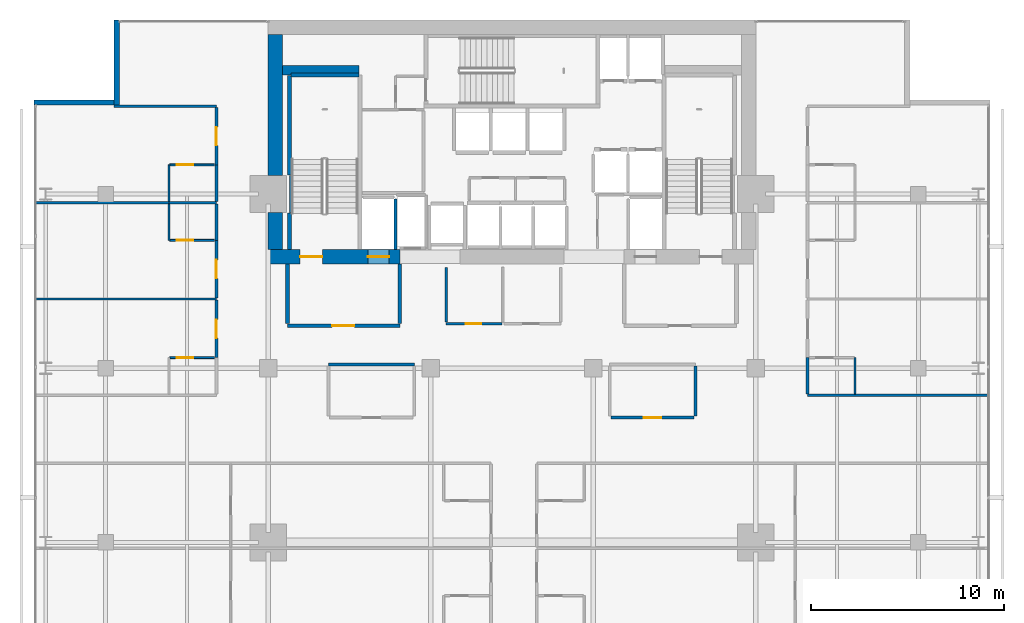
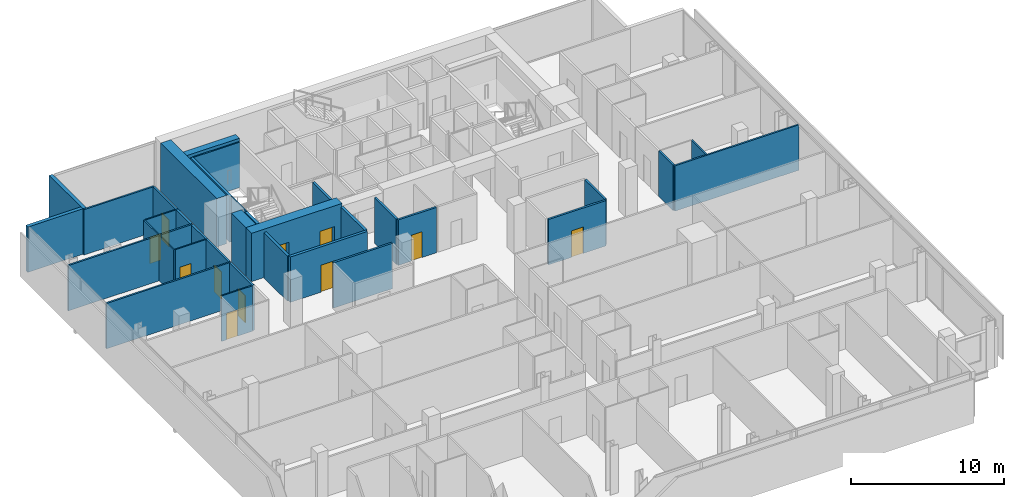
# One storey, part 29 of 34: 35 walls, 11 doors, 11 openings.
"""IFC4 building model written with IfcOpenShell, lengths in metres."""

from ifc_helpers import new_model, si_unit, direction, frame, frame_2d, origin, place, context, subcontext, project, spatial, rectangle, extrude, material, layer, layer_set, type_object, element, fill, save


model = new_model("IFC4")

# Units and contexts
model_context = context("Model", 3, precision=1e-05, world=origin(), true_north=direction((0.0, 1.0)))
body_context = subcontext(model_context, "Body", "Model", "MODEL_VIEW")
ifc_project = project(units=[si_unit("LENGTHUNIT", "METRE"), si_unit("AREAUNIT", "SQUARE_METRE"), si_unit("VOLUMEUNIT", "CUBIC_METRE"), si_unit("PLANEANGLEUNIT", "RADIAN"), si_unit("MASSUNIT", "GRAM", prefix="KILO")], contexts=[model_context])

# Site, building, storey
site_placement = place(None, origin())
site = spatial("IfcSite", under=ifc_project, at=site_placement, CompositionType="ELEMENT")
building_placement = place(site_placement, origin())
building = spatial("IfcBuilding", under=site, at=building_placement, Name="Maruvema Waterfront Hotel and Observation Tower", CompositionType="ELEMENT")
storey_placement = place(building_placement, frame((0.0, 0.0, 215.949951171875)))
storey = spatial("IfcBuildingStorey", under=building, at=storey_placement, Name="L53", CompositionType="ELEMENT", Elevation=215.949951171875)

# Wall, opening, door
ifc_material_1 = material(Name="Twin-stud acoustic gypsum drywall", Category="gypsum")
ifc_layer_1 = layer(ifc_material_1, 0.14990234375, Name="Acoustic Corridor and Suite Demising Wall 150 mm")
ifc_layer_set_1 = layer_set([ifc_layer_1], Name="Twin-stud acoustic gypsum drywall")
wall_type_1 = type_object("IfcWallType", Name="Acoustic Corridor and Suite Demising Wall 150 mm", PredefinedType="PARTITIONING", material=ifc_layer_set_1)
wall_1_placement = place(storey_placement, frame((34.39990234375, 38.300048828125, 0.0), z_axis=(0.0, 0.0, 1.0), x_axis=(1.0, 0.0, 0.0)))
wall_1 = element("IfcWall", 1, at=wall_1_placement, inside=storey, type_object=wall_type_1, Name="L53 Core Apron K2A South 022", PredefinedType="PARTITIONING", context=body_context, shape_type="SweptSolid", body=[
    extrude(rectangle(XDim=2.880126953125, YDim=0.14990234375, at=frame_2d((1.43994140625, 0.0))), origin(), (0.0, 0.0, 1.0), 3.610107421875),
])
opening_1_placement = place(wall_1_placement, frame((1.0, 0.0, 0.0)))
opening_1 = element("IfcOpeningElement", 2, at=opening_1_placement, cuts=wall_1, Name="Opening DR-080", PredefinedType="OPENING", context=body_context, shape_type="SweptSolid", body=[
    extrude(rectangle(XDim=0.800048828125, YDim=2.050048828125, at=frame_2d((0.39990234375, 1.02490234375))), frame((0.0, 0.0849609375, 0.0), z_axis=(0.0, -1.0, 0.0), x_axis=(1.0, 0.0, 0.0)), (0.0, 0.0, 1.0), 0.169921875),
])
ifc_material_2 = material(Name="Powder-coated steel access leaf", Category="steel")
door_type_1 = type_object("IfcDoorType", Name="Riser and Service Cupboard Door 800x2050 mm", OperationType="NOTDEFINED", PredefinedType="DOOR", material=ifc_material_2)
door_1_placement = place(opening_1_placement, frame((0.800048828125, 0.0, 0.0), z_axis=(0.0, 0.0, 1.0), x_axis=(-1.0, 0.0, 0.0)))
door_1 = element("IfcDoor", 3, at=door_1_placement, inside=storey, type_object=door_type_1, Name="L53 Core Ice Alcove Door", OperationType="SINGLE_SWING_LEFT", OverallHeight=2.050048828125, OverallWidth=0.800048828125, PredefinedType="DOOR", context=body_context, shape_type="SweptSolid", body=[
    extrude(rectangle(XDim=0.800048828125, YDim=2.050048828125, at=frame_2d((0.39990234375, 1.02490234375))), frame((0.0, 0.02490234375, 0.0), z_axis=(0.0, -1.0, 0.0), x_axis=(1.0, 0.0, 0.0)), (0.0, 0.0, 1.0), 0.050048828125),
])
fill(opening_1, door_1)

# Walls
wall_2_placement = place(storey_placement, frame((34.39990234375, 38.3798828125, 0.0), z_axis=(0.0, 0.0, 1.0), x_axis=(0.0, 1.0, 0.0)))
element("IfcWall", 4, at=wall_2_placement, inside=storey, type_object=wall_type_1, Name="L53 Core Apron K2 West 024", PredefinedType="PARTITIONING", context=body_context, shape_type="SweptSolid", body=[
    extrude(rectangle(XDim=2.840087890625, YDim=0.14990234375, at=frame_2d((1.419921875, 0.0))), origin(), (0.0, 0.0, 1.0), 3.610107421875),
])
wall_3_placement = place(storey_placement, frame((28.320068359375, 36.199951171875, 0.0), z_axis=(0.0, 0.0, 1.0), x_axis=(1.0, 0.0, 0.0)))
element("IfcWall", 5, at=wall_3_placement, inside=storey, type_object=wall_type_1, Name="L53 L53-M1 Back Wall 027", PredefinedType="PARTITIONING", context=body_context, shape_type="SweptSolid", body=[
    extrude(rectangle(XDim=4.429931640625, YDim=0.14990234375, at=frame_2d((2.21484375, 0.0))), origin(), (0.0, 0.0, 1.0), 3.610107421875),
])
wall_4_placement = place(storey_placement, frame((47.280029296875, 33.530029296875, 0.0), z_axis=(0.0, 0.0, 1.0), x_axis=(0.0, 1.0, 0.0)))
element("IfcWall", 6, at=wall_4_placement, inside=storey, type_object=wall_type_1, Name="L53 L53-M2 East Wall 033", PredefinedType="PARTITIONING", context=body_context, shape_type="SweptSolid", body=[
    extrude(rectangle(XDim=2.590087890625, YDim=0.14990234375, at=frame_2d((1.294921875, 0.0))), origin(), (0.0, 0.0, 1.0), 3.610107421875),
])

# Wall, opening, door
wall_5_placement = place(storey_placement, frame((42.909912109375, 33.449951171875, 0.0), z_axis=(0.0, 0.0, 1.0), x_axis=(1.0, 0.0, 0.0)))
wall_5 = element("IfcWall", 7, at=wall_5_placement, inside=storey, type_object=wall_type_1, Name="L53 L53-M2 Front 1 034", PredefinedType="PARTITIONING", context=body_context, shape_type="SweptSolid", body=[
    extrude(rectangle(XDim=4.31005859375, YDim=0.14990234375, at=frame_2d((2.155029296875, 0.0))), origin(), (0.0, 0.0, 1.0), 3.610107421875),
])
opening_2_placement = place(wall_5_placement, frame((1.705078125, 0.0, 0.0)))
opening_2 = element("IfcOpeningElement", 8, at=opening_2_placement, cuts=wall_5, Name="Opening DR-090", PredefinedType="OPENING", context=body_context, shape_type="SweptSolid", body=[
    extrude(rectangle(XDim=0.89990234375, YDim=2.10009765625, at=frame_2d((0.449951171875, 1.050048828125))), frame((0.0, 0.0849609375, 0.0), z_axis=(0.0, -1.0, 0.0), x_axis=(1.0, 0.0, 0.0)), (0.0, 0.0, 1.0), 0.169921875),
])
ifc_material_3 = material(Name="Solid-core lacquered timber leaf", Category="wood")
door_type_2 = type_object("IfcDoorType", Name="Accessible Toilet and Room Door 900x2100 mm", OperationType="NOTDEFINED", PredefinedType="DOOR", material=ifc_material_3)
door_2_placement = place(opening_2_placement, frame((0.89990234375, 0.0, 0.0), z_axis=(0.0, 0.0, 1.0), x_axis=(-1.0, 0.0, 0.0)))
door_2 = element("IfcDoor", 9, at=door_2_placement, inside=storey, type_object=door_type_2, Name="L53 Catering Kitchen Door", OperationType="SINGLE_SWING_RIGHT", OverallHeight=2.10009765625, OverallWidth=0.89990234375, PredefinedType="DOOR", context=body_context, shape_type="SweptSolid", body=[
    extrude(rectangle(XDim=0.89990234375, YDim=2.10009765625, at=frame_2d((0.449951171875, 1.050048828125))), frame((0.0, 0.02490234375, 0.0), z_axis=(0.0, -1.0, 0.0), x_axis=(1.0, 0.0, 0.0)), (0.0, 0.0, 1.0), 0.050048828125),
])
fill(opening_2, door_2)

wall_6_placement = place(storey_placement, frame((22.52001953125, 36.550048828125, 0.0), z_axis=(0.0, 0.0, 1.0), x_axis=(0.0, 1.0, 0.0)))
wall_6 = element("IfcWall", 10, at=wall_6_placement, inside=storey, type_object=wall_type_1, Name="L53 Room L53-NW1 Corridor Wall 107", PredefinedType="PARTITIONING", context=body_context, shape_type="SweptSolid", body=[
    extrude(rectangle(XDim=2.96923828125, YDim=0.14990234375, at=frame_2d((1.484619140625, 0.0))), origin(), (0.0, 0.0, 1.0), 3.610107421875),
])
opening_3_placement = place(wall_6_placement, frame((1.009521484375, 0.0, 0.0)))
opening_3 = element("IfcOpeningElement", 11, at=opening_3_placement, cuts=wall_6, Name="Opening DR-095", PredefinedType="OPENING", context=body_context, shape_type="SweptSolid", body=[
    extrude(rectangle(XDim=0.949951171875, YDim=2.14990234375, at=frame_2d((0.47509765625, 1.074951171875))), frame((0.0, 0.0849609375, 0.0), z_axis=(0.0, -1.0, 0.0), x_axis=(1.0, 0.0, 0.0)), (0.0, 0.0, 1.0), 0.169921875),
])
ifc_material_4 = material(Name="Acoustic solid-core hardwood timber leaf", Category="wood")
door_type_3 = type_object("IfcDoorType", Name="Guestroom Entrance Fire Door 950x2150 mm", OperationType="NOTDEFINED", PredefinedType="DOOR", material=ifc_material_4)
door_3_placement = place(opening_3_placement, origin())
door_3 = element("IfcDoor", 12, at=door_3_placement, inside=storey, type_object=door_type_3, Name="L53 Room L53-NW1 Entrance Door", OperationType="SINGLE_SWING_RIGHT", OverallHeight=2.14990234375, OverallWidth=0.949951171875, PredefinedType="DOOR", context=body_context, shape_type="SweptSolid", body=[
    extrude(rectangle(XDim=0.949951171875, YDim=2.14990234375, at=frame_2d((0.47509765625, 1.074951171875))), frame((0.0, 0.02490234375, 0.0), z_axis=(0.0, -1.0, 0.0), x_axis=(1.0, 0.0, 0.0)), (0.0, 0.0, 1.0), 0.050048828125),
])
fill(opening_3, door_3)

# Wall
wall_7_placement = place(storey_placement, frame((53.080078125, 34.659912109375, 0.0), z_axis=(0.0, 0.0, 1.0), x_axis=(0.0, 1.0, 0.0)))
element("IfcWall", 13, at=wall_7_placement, inside=storey, type_object=wall_type_1, Name="L53 Bath L53-NE1 Wall 110", PredefinedType="PARTITIONING", context=body_context, shape_type="SweptSolid", body=[
    extrude(rectangle(XDim=1.89013671875, YDim=0.14990234375, at=frame_2d((0.945068359375, 0.0))), origin(), (0.0, 0.0, 1.0), 3.610107421875),
])

# Wall, opening, door
wall_8_placement = place(storey_placement, frame((22.52001953125, 39.63916015625, 0.0), z_axis=(0.0, 0.0, 1.0), x_axis=(0.0, 1.0, 0.0)))
wall_8 = element("IfcWall", 14, at=wall_8_placement, inside=storey, type_object=wall_type_1, Name="L53 Room L53-NW2 Corridor Wall 116", PredefinedType="PARTITIONING", context=body_context, shape_type="SweptSolid", body=[
    extrude(rectangle(XDim=2.96923828125, YDim=0.14990234375, at=frame_2d((1.484619140625, 0.0))), origin(), (0.0, 0.0, 1.0), 3.610107421875),
])
opening_4_placement = place(wall_8_placement, frame((1.009521484375, 0.0, 0.0)))
opening_4 = element("IfcOpeningElement", 15, at=opening_4_placement, cuts=wall_8, Name="Opening DR-095", PredefinedType="OPENING", context=body_context, shape_type="SweptSolid", body=[
    extrude(rectangle(XDim=0.949951171875, YDim=2.14990234375, at=frame_2d((0.47509765625, 1.074951171875))), frame((0.0, 0.0849609375, 0.0), z_axis=(0.0, -1.0, 0.0), x_axis=(1.0, 0.0, 0.0)), (0.0, 0.0, 1.0), 0.169921875),
])
door_4_placement = place(opening_4_placement, origin())
door_4 = element("IfcDoor", 16, at=door_4_placement, inside=storey, type_object=door_type_3, Name="L53 Room L53-NW2 Entrance Door", OperationType="SINGLE_SWING_RIGHT", OverallHeight=2.14990234375, OverallWidth=0.949951171875, PredefinedType="DOOR", context=body_context, shape_type="SweptSolid", body=[
    extrude(rectangle(XDim=0.949951171875, YDim=2.14990234375, at=frame_2d((0.47509765625, 1.074951171875))), frame((0.0, 0.02490234375, 0.0), z_axis=(0.0, -1.0, 0.0), x_axis=(1.0, 0.0, 0.0)), (0.0, 0.0, 1.0), 0.050048828125),
])
fill(opening_4, door_4)

# Walls
for number, where, z_axis, x_axis, name in (
    (17, (22.52001953125, 42.6083984375, 0.0), (0.0, 0.0, 1.0), (0.0, 1.0, 0.0), "L53 Bath L53-NW2 Wall 117"),
    (18, (22.52001953125, 44.618408203125, 0.0), (0.0, 0.0, 1.0), (0.0, 1.0, 0.0), "L53 Bath L53-NW3 Wall 126"),
):
    element("IfcWall", number, at=place(storey_placement, frame(where, z_axis=z_axis, x_axis=x_axis)), inside=storey, type_object=wall_type_1, Name=name, PredefinedType="PARTITIONING", context=body_context, shape_type="SweptSolid", body=[
        extrude(rectangle(XDim=1.889892578125, YDim=0.14990234375, at=frame_2d((0.94482421875, 0.0))), origin(), (0.0, 0.0, 1.0), 3.610107421875),
    ])

# Wall, opening, door
wall_9_placement = place(storey_placement, frame((22.52001953125, 46.50830078125, 0.0), z_axis=(0.0, 0.0, 1.0), x_axis=(0.0, 1.0, 0.0)))
wall_9 = element("IfcWall", 19, at=wall_9_placement, inside=storey, type_object=wall_type_1, Name="L53 Room L53-NW3 Corridor Wall 127", PredefinedType="PARTITIONING", context=body_context, shape_type="SweptSolid", body=[
    extrude(rectangle(XDim=2.96923828125, YDim=0.14990234375, at=frame_2d((1.484619140625, 0.0))), origin(), (0.0, 0.0, 1.0), 3.610107421875),
])
opening_5_placement = place(wall_9_placement, frame((1.009521484375, 0.0, 0.0)))
opening_5 = element("IfcOpeningElement", 20, at=opening_5_placement, cuts=wall_9, Name="Opening DR-095", PredefinedType="OPENING", context=body_context, shape_type="SweptSolid", body=[
    extrude(rectangle(XDim=0.949951171875, YDim=2.14990234375, at=frame_2d((0.47509765625, 1.074951171875))), frame((0.0, 0.0849609375, 0.0), z_axis=(0.0, -1.0, 0.0), x_axis=(1.0, 0.0, 0.0)), (0.0, 0.0, 1.0), 0.169921875),
])
door_5_placement = place(opening_5_placement, origin())
door_5 = element("IfcDoor", 21, at=door_5_placement, inside=storey, type_object=door_type_3, Name="L53 Room L53-NW3 Entrance Door", OperationType="SINGLE_SWING_RIGHT", OverallHeight=2.14990234375, OverallWidth=0.949951171875, PredefinedType="DOOR", context=body_context, shape_type="SweptSolid", body=[
    extrude(rectangle(XDim=0.949951171875, YDim=2.14990234375, at=frame_2d((0.47509765625, 1.074951171875))), frame((0.0, 0.02490234375, 0.0), z_axis=(0.0, -1.0, 0.0), x_axis=(1.0, 0.0, 0.0)), (0.0, 0.0, 1.0), 0.050048828125),
])
fill(opening_5, door_5)

# Walls
ifc_material_5 = material(Name="Precast concrete C45/55", Category="concrete")
ifc_layer_2 = layer(ifc_material_5, 0.199951171875, Name="Core Shaft and Stairwell Enclosure Wall 200 mm")
ifc_layer_set_2 = layer_set([ifc_layer_2], Name="Precast concrete C45/55")
wall_type_2 = type_object("IfcWallType", Name="Core Shaft and Stairwell Enclosure Wall 200 mm", PredefinedType="SOLIDWALL", material=ifc_layer_set_2)
wall_10_placement = place(storey_placement, frame((26.300048828125, 42.14990234375, 0.0), z_axis=(0.0, 0.0, 1.0), x_axis=(0.0, 1.0, 0.0)))
element("IfcWall", 22, at=wall_10_placement, inside=storey, type_object=wall_type_2, Name="L53 Stairwell ST-01 Shaft Lining Wall", PredefinedType="SOLIDWALL", context=body_context, shape_type="SweptSolid", body=[
    extrude(rectangle(XDim=1.8701171875, YDim=0.199951171875, at=frame_2d((0.93505859375, 0.0))), origin(), (0.0, 0.0, 1.0), 3.610107421875),
])
wall_11_placement = place(storey_placement, frame((26.300048828125, 45.97998046875, 0.0), z_axis=(0.0, 0.0, 1.0), x_axis=(0.0, 1.0, 0.0)))
element("IfcWall", 23, at=wall_11_placement, inside=storey, type_object=wall_type_2, Name="L53 Stairwell ST-01 Shaft Lining Wall", PredefinedType="SOLIDWALL", context=body_context, shape_type="SweptSolid", body=[
    extrude(rectangle(XDim=5.14013671875, YDim=0.199951171875, at=frame_2d((2.570068359375, 0.0))), origin(), (0.0, 0.0, 1.0), 3.610107421875),
])
wall_12_placement = place(storey_placement, frame((26.3798828125, 51.14990234375, 0.0), z_axis=(0.0, 0.0, 1.0), x_axis=(1.0, 0.0, 0.0)))
element("IfcWall", 24, at=wall_12_placement, inside=storey, type_object=wall_type_2, Name="L53 Stairwell ST-01 Shaft Lining Wall", PredefinedType="SOLIDWALL", context=body_context, shape_type="SweptSolid", body=[
    extrude(rectangle(XDim=3.5, YDim=0.199951171875, at=frame_2d((1.75, 0.0))), origin(), (0.0, 0.0, 1.0), 3.610107421875),
])
ifc_material_6 = material(Name="Concrete C70/85", Category="concrete")
ifc_layer_3 = layer(ifc_material_6, 0.5, Name="Core Shear Wall 500 mm")
ifc_layer_set_3 = layer_set([ifc_layer_3], Name="Concrete C70/85")
wall_type_3 = type_object("IfcWallType", Name="Core Shear Wall 500 mm", PredefinedType="SHEAR", material=ifc_layer_set_3)
wall_13_placement = place(storey_placement, frame((25.949951171875, 51.39990234375, 0.0), z_axis=(0.0, 0.0, 1.0), x_axis=(1.0, 0.0, 0.0)))
element("IfcWall", 25, at=wall_13_placement, inside=storey, type_object=wall_type_3, Name="L53 Internal Core Shear Wall NW 500 mm", PredefinedType="SHEAR", context=body_context, shape_type="SweptSolid", body=[
    extrude(rectangle(XDim=3.949951171875, YDim=0.5, at=frame_2d((1.97509765625, 0.0))), origin(), (0.0, 0.0, 1.0), 3.85009765625),
])

# Wall, openings, doors
ifc_material_7 = material(Name="Concrete C70/85", Category="concrete")
ifc_layer_4 = layer(ifc_material_7, 0.75, Name="Core Shear Wall 750 mm")
ifc_layer_set_4 = layer_set([ifc_layer_4], Name="Concrete C70/85")
wall_type_4 = type_object("IfcWallType", Name="Core Shear Wall 750 mm", PredefinedType="SHEAR", material=ifc_layer_set_4)
wall_14_placement = place(storey_placement, frame((25.199951171875, 41.77490234375, 0.0), z_axis=(0.0, 0.0, 1.0), x_axis=(1.0, 0.0, 0.0)))
wall_14 = element("IfcWall", 26, at=wall_14_placement, inside=storey, type_object=wall_type_4, Name="L53 South-West Core Shear Wall", PredefinedType="SHEAR", context=body_context, shape_type="SweptSolid", body=[
    extrude(rectangle(XDim=6.800048828125, YDim=0.75, at=frame_2d((3.39990234375, 0.0))), origin(), (0.0, 0.0, 1.0), 3.85009765625),
])
opening_6_placement = place(wall_14_placement, frame((1.64990234375, 0.0, 0.0)))
opening_6 = element("IfcOpeningElement", 27, at=opening_6_placement, cuts=wall_14, Name="Opening SD-01", PredefinedType="OPENING", context=body_context, shape_type="SweptSolid", body=[
    extrude(rectangle(XDim=1.14990234375, YDim=2.14990234375, at=frame_2d((0.574951171875, 1.074951171875))), frame((0.0, 0.385009765625, 0.0), z_axis=(0.0, -1.0, 0.0), x_axis=(1.0, 0.0, 0.0)), (0.0, 0.0, 1.0), 0.77001953125),
])
opening_7_placement = place(wall_14_placement, frame((5.14990234375, 0.0, 0.0)))
opening_7 = element("IfcOpeningElement", 28, at=opening_7_placement, cuts=wall_14, Name="Opening LD-03", PredefinedType="OPENING", context=body_context, shape_type="SweptSolid", body=[
    extrude(rectangle(XDim=1.10009765625, YDim=2.199951171875, at=frame_2d((0.550048828125, 1.10009765625))), frame((0.0, 0.385009765625, 0.0), z_axis=(0.0, -1.0, 0.0), x_axis=(1.0, 0.0, 0.0)), (0.0, 0.0, 1.0), 0.77001953125),
])
ifc_material_8 = material(Name="Fire-rated galvanised steel leaf", Category="steel")
door_type_4 = type_object("IfcDoorType", Name="Exit Stair Fire Door 1150x2150 mm", OperationType="NOTDEFINED", PredefinedType="DOOR", material=ifc_material_8)
door_6_placement = place(opening_6_placement, origin())
door_6 = element("IfcDoor", 29, at=door_6_placement, inside=storey, type_object=door_type_4, Name="L53 Exit Stair ST-01 Fire Door", OperationType="SINGLE_SWING_LEFT", OverallHeight=2.14990234375, OverallWidth=1.14990234375, PredefinedType="DOOR", context=body_context, shape_type="SweptSolid", body=[
    extrude(rectangle(XDim=1.14990234375, YDim=2.14990234375, at=frame_2d((0.574951171875, 1.074951171875))), frame((0.0, 0.02490234375, 0.0), z_axis=(0.0, -1.0, 0.0), x_axis=(1.0, 0.0, 0.0)), (0.0, 0.0, 1.0), 0.050048828125),
])
fill(opening_6, door_6)
ifc_material_9 = material(Name="Brushed stainless steel Grade 316", Category="steel")
door_type_5 = type_object("IfcDoorType", Name="Firefighting Lift Sliding Landing Door 1100x2200 mm", OperationType="SLIDING_TO_LEFT", PredefinedType="DOOR", material=ifc_material_9)
door_7_placement = place(opening_7_placement, frame((1.10009765625, 0.0, 0.0), z_axis=(0.0, 0.0, 1.0), x_axis=(-1.0, 0.0, 0.0)))
door_7 = element("IfcDoor", 30, at=door_7_placement, inside=storey, type_object=door_type_5, Name="L53 Firefighting Lift FL-01 Landing Door", OperationType="SLIDING_TO_LEFT", OverallHeight=2.199951171875, OverallWidth=1.10009765625, PredefinedType="DOOR", context=body_context, shape_type="SweptSolid", body=[
    extrude(rectangle(XDim=1.10009765625, YDim=2.199951171875, at=frame_2d((0.550048828125, 1.10009765625))), frame((0.0, 0.02490234375, 0.0), z_axis=(0.0, -1.0, 0.0), x_axis=(1.0, 0.0, 0.0)), (0.0, 0.0, 1.0), 0.050048828125),
])
fill(opening_7, door_7)

# Walls
wall_15_placement = place(storey_placement, frame((25.574951171875, 42.14990234375, 0.0), z_axis=(0.0, 0.0, 1.0), x_axis=(0.0, 1.0, 0.0)))
element("IfcWall", 31, at=wall_15_placement, inside=storey, type_object=wall_type_4, Name="L53 West-South Core Shear Wall", PredefinedType="SHEAR", context=body_context, shape_type="SweptSolid", body=[
    extrude(rectangle(XDim=1.900146484375, YDim=0.75, at=frame_2d((0.9501953125, 0.0))), origin(), (0.0, 0.0, 1.0), 3.85009765625),
])
wall_16_placement = place(storey_placement, frame((25.574951171875, 45.949951171875, 0.0), z_axis=(0.0, 0.0, 1.0), x_axis=(0.0, 1.0, 0.0)))
element("IfcWall", 32, at=wall_16_placement, inside=storey, type_object=wall_type_4, Name="L53 West-North Core Shear Wall", PredefinedType="SHEAR", context=body_context, shape_type="SweptSolid", body=[
    extrude(rectangle(XDim=7.300048828125, YDim=0.75, at=frame_2d((3.64990234375, 0.0))), origin(), (0.0, 0.0, 1.0), 3.85009765625),
])

# Wall, opening, door
ifc_material_10 = material(Name="Moisture-resistant cement-board drywall", Category="gypsum")
ifc_layer_5 = layer(ifc_material_10, 0.10009765625, Name="En-Suite Moisture-Resistant Partition 100 mm")
ifc_layer_set_5 = layer_set([ifc_layer_5], Name="Moisture-resistant cement-board drywall")
wall_type_5 = type_object("IfcWallType", Name="En-Suite Moisture-Resistant Partition 100 mm", PredefinedType="PARTITIONING", material=ifc_layer_set_5)
wall_17_placement = place(storey_placement, frame((20.1201171875, 36.550048828125, 0.0), z_axis=(0.0, 0.0, 1.0), x_axis=(1.0, 0.0, 0.0)))
wall_17 = element("IfcWall", 33, at=wall_17_placement, inside=storey, type_object=wall_type_5, Name="L53 En-Suite L53-NW1 N 109", PredefinedType="PARTITIONING", context=body_context, shape_type="SweptSolid", body=[
    extrude(rectangle(XDim=2.2998046875, YDim=0.10009765625, at=frame_2d((1.14990234375, 0.0))), origin(), (0.0, 0.0, 1.0), 3.610107421875),
])
opening_8_placement = place(wall_17_placement, frame((0.35009765625, 0.0, 0.0)))
opening_8 = element("IfcOpeningElement", 34, at=opening_8_placement, cuts=wall_17, Name="Opening DR-085", PredefinedType="OPENING", context=body_context, shape_type="SweptSolid", body=[
    extrude(rectangle(XDim=0.85009765625, YDim=2.10009765625, at=frame_2d((0.425048828125, 1.050048828125))), frame((0.0, 0.06005859375, 0.0), z_axis=(0.0, -1.0, 0.0), x_axis=(1.0, 0.0, 0.0)), (0.0, 0.0, 1.0), 0.1201171875),
])
ifc_material_11 = material(Name="Moisture-resistant solid timber leaf", Category="wood")
door_type_6 = type_object("IfcDoorType", Name="En-Suite Bathroom Door 850x2100 mm", OperationType="NOTDEFINED", PredefinedType="DOOR", material=ifc_material_11)
door_8_placement = place(opening_8_placement, origin())
door_8 = element("IfcDoor", 35, at=door_8_placement, inside=storey, type_object=door_type_6, Name="L53 En-Suite L53-NW1 Door", OperationType="SINGLE_SWING_LEFT", OverallHeight=2.10009765625, OverallWidth=0.85009765625, PredefinedType="DOOR", context=body_context, shape_type="SweptSolid", body=[
    extrude(rectangle(XDim=0.85009765625, YDim=2.10009765625, at=frame_2d((0.425048828125, 1.050048828125))), frame((0.0, 0.02490234375, 0.0), z_axis=(0.0, -1.0, 0.0), x_axis=(1.0, 0.0, 0.0)), (0.0, 0.0, 1.0), 0.050048828125),
])
fill(opening_8, door_8)

# Walls
wall_18_placement = place(storey_placement, frame((55.530029296875, 34.659912109375, 0.0), z_axis=(0.0, 0.0, 1.0), x_axis=(0.0, 1.0, 0.0)))
element("IfcWall", 36, at=wall_18_placement, inside=storey, type_object=wall_type_5, Name="L53 En-Suite L53-NE1 E 112", PredefinedType="PARTITIONING", context=body_context, shape_type="SweptSolid", body=[
    extrude(rectangle(XDim=1.89013671875, YDim=0.10009765625, at=frame_2d((0.945068359375, 0.0))), origin(), (0.0, 0.0, 1.0), 3.610107421875),
])
wall_19_placement = place(storey_placement, frame((20.070068359375, 42.6083984375, 0.0), z_axis=(0.0, 0.0, 1.0), x_axis=(0.0, 1.0, 0.0)))
element("IfcWall", 37, at=wall_19_placement, inside=storey, type_object=wall_type_5, Name="L53 En-Suite L53-NW2 W 118", PredefinedType="PARTITIONING", context=body_context, shape_type="SweptSolid", body=[
    extrude(rectangle(XDim=1.889892578125, YDim=0.10009765625, at=frame_2d((0.94482421875, 0.0))), origin(), (0.0, 0.0, 1.0), 3.610107421875),
])

# Wall, opening, door
wall_20_placement = place(storey_placement, frame((20.1201171875, 42.6083984375, 0.0), z_axis=(0.0, 0.0, 1.0), x_axis=(1.0, 0.0, 0.0)))
wall_20 = element("IfcWall", 38, at=wall_20_placement, inside=storey, type_object=wall_type_5, Name="L53 En-Suite L53-NW2 S 119", PredefinedType="PARTITIONING", context=body_context, shape_type="SweptSolid", body=[
    extrude(rectangle(XDim=2.2998046875, YDim=0.10009765625, at=frame_2d((1.14990234375, 0.0))), origin(), (0.0, 0.0, 1.0), 3.610107421875),
])
opening_9_placement = place(wall_20_placement, frame((0.35009765625, 0.0, 0.0)))
opening_9 = element("IfcOpeningElement", 39, at=opening_9_placement, cuts=wall_20, Name="Opening DR-085", PredefinedType="OPENING", context=body_context, shape_type="SweptSolid", body=[
    extrude(rectangle(XDim=0.85009765625, YDim=2.10009765625, at=frame_2d((0.425048828125, 1.050048828125))), frame((0.0, 0.06005859375, 0.0), z_axis=(0.0, -1.0, 0.0), x_axis=(1.0, 0.0, 0.0)), (0.0, 0.0, 1.0), 0.1201171875),
])
door_9_placement = place(opening_9_placement, frame((0.85009765625, 0.0, 0.0), z_axis=(0.0, 0.0, 1.0), x_axis=(-1.0, 0.0, 0.0)))
door_9 = element("IfcDoor", 40, at=door_9_placement, inside=storey, type_object=door_type_6, Name="L53 En-Suite L53-NW2 Door", OperationType="SINGLE_SWING_LEFT", OverallHeight=2.10009765625, OverallWidth=0.85009765625, PredefinedType="DOOR", context=body_context, shape_type="SweptSolid", body=[
    extrude(rectangle(XDim=0.85009765625, YDim=2.10009765625, at=frame_2d((0.425048828125, 1.050048828125))), frame((0.0, 0.02490234375, 0.0), z_axis=(0.0, -1.0, 0.0), x_axis=(1.0, 0.0, 0.0)), (0.0, 0.0, 1.0), 0.050048828125),
])
fill(opening_9, door_9)

# Wall
wall_21_placement = place(storey_placement, frame((20.070068359375, 44.618408203125, 0.0), z_axis=(0.0, 0.0, 1.0), x_axis=(0.0, 1.0, 0.0)))
element("IfcWall", 41, at=wall_21_placement, inside=storey, type_object=wall_type_5, Name="L53 En-Suite L53-NW3 W 128", PredefinedType="PARTITIONING", context=body_context, shape_type="SweptSolid", body=[
    extrude(rectangle(XDim=1.889892578125, YDim=0.10009765625, at=frame_2d((0.94482421875, 0.0))), origin(), (0.0, 0.0, 1.0), 3.610107421875),
])

# Wall, opening, door
wall_22_placement = place(storey_placement, frame((20.1201171875, 46.50830078125, 0.0), z_axis=(0.0, 0.0, 1.0), x_axis=(1.0, 0.0, 0.0)))
wall_22 = element("IfcWall", 42, at=wall_22_placement, inside=storey, type_object=wall_type_5, Name="L53 En-Suite L53-NW3 N 129", PredefinedType="PARTITIONING", context=body_context, shape_type="SweptSolid", body=[
    extrude(rectangle(XDim=2.2998046875, YDim=0.10009765625, at=frame_2d((1.14990234375, 0.0))), origin(), (0.0, 0.0, 1.0), 3.610107421875),
])
opening_10_placement = place(wall_22_placement, frame((0.35009765625, 0.0, 0.0)))
opening_10 = element("IfcOpeningElement", 43, at=opening_10_placement, cuts=wall_22, Name="Opening DR-085", PredefinedType="OPENING", context=body_context, shape_type="SweptSolid", body=[
    extrude(rectangle(XDim=0.85009765625, YDim=2.10009765625, at=frame_2d((0.425048828125, 1.050048828125))), frame((0.0, 0.06005859375, 0.0), z_axis=(0.0, -1.0, 0.0), x_axis=(1.0, 0.0, 0.0)), (0.0, 0.0, 1.0), 0.1201171875),
])
door_10_placement = place(opening_10_placement, origin())
door_10 = element("IfcDoor", 44, at=door_10_placement, inside=storey, type_object=door_type_6, Name="L53 En-Suite L53-NW3 Door", OperationType="SINGLE_SWING_LEFT", OverallHeight=2.10009765625, OverallWidth=0.85009765625, PredefinedType="DOOR", context=body_context, shape_type="SweptSolid", body=[
    extrude(rectangle(XDim=0.85009765625, YDim=2.10009765625, at=frame_2d((0.425048828125, 1.050048828125))), frame((0.0, 0.02490234375, 0.0), z_axis=(0.0, -1.0, 0.0), x_axis=(1.0, 0.0, 0.0)), (0.0, 0.0, 1.0), 0.050048828125),
])
fill(opening_10, door_10)

# Walls
ifc_material_12 = material(Name="Precast concrete C45/55 with honed Pernambuco granite facing", Category="masonry")
ifc_layer_6 = layer(ifc_material_12, 0.260009765625, Name="Exterior Granite Clad Spandrel and Pier Wall 260 mm")
ifc_layer_set_6 = layer_set([ifc_layer_6], Name="Precast concrete C45/55 with honed Pernambuco granite facing")
wall_type_6 = type_object("IfcWallType", Name="Exterior Granite Clad Spandrel and Pier Wall 260 mm", PredefinedType="SOLIDWALL", material=ifc_layer_set_6)
for number, where, z_axis, x_axis, name in (
    (45, (17.3701171875, 49.60009765625, 0.0), (0.0, 0.0, 1.0), (0.0, 1.0, 0.0), "L53 Corner Notch Granite Pier Wall NW1"),
    (46, (13.10009765625, 49.72998046875, 0.0), (0.0, 0.0, 1.0), (1.0, 0.0, 0.0), "L53 Corner Notch Granite Pier Wall NW2"),
):
    element("IfcWall", number, at=place(storey_placement, frame(where, z_axis=z_axis, x_axis=x_axis)), inside=storey, type_object=wall_type_6, Name=name, PredefinedType="SOLIDWALL", context=body_context, shape_type="SweptSolid", body=[
        extrude(rectangle(XDim=4.39990234375, YDim=0.260009765625, at=frame_2d((2.199951171875, 0.0))), origin(), (0.0, 0.0, 1.0), 3.610107421875),
    ])

# Wall, opening, door
ifc_material_13 = material(Name="Autoclaved cellular concrete blockwork", Category="masonry")
ifc_layer_7 = layer(ifc_material_13, 0.199951171875, Name="Fire Compartment Masonry Wall 200 mm")
ifc_layer_set_7 = layer_set([ifc_layer_7], Name="Autoclaved cellular concrete blockwork")
wall_type_7 = type_object("IfcWallType", Name="Fire Compartment Masonry Wall 200 mm", PredefinedType="PARTITIONING", material=ifc_layer_set_7)
wall_23_placement = place(storey_placement, frame((26.199951171875, 38.199951171875, 0.0), z_axis=(0.0, 0.0, 1.0), x_axis=(1.0, 0.0, 0.0)))
wall_23 = element("IfcWall", 47, at=wall_23_placement, inside=storey, type_object=wall_type_7, Name="L53 FFL West South Wall 001", PredefinedType="PARTITIONING", context=body_context, shape_type="SweptSolid", body=[
    extrude(rectangle(XDim=5.800048828125, YDim=0.199951171875, at=frame_2d((2.89990234375, 0.0))), origin(), (0.0, 0.0, 1.0), 3.610107421875),
])
opening_11_placement = place(wall_23_placement, frame((2.300048828125, 0.0, 0.0)))
opening_11 = element("IfcOpeningElement", 48, at=opening_11_placement, cuts=wall_23, Name="Opening FD-115", PredefinedType="OPENING", context=body_context, shape_type="SweptSolid", body=[
    extrude(rectangle(XDim=1.14990234375, YDim=2.14990234375, at=frame_2d((0.574951171875, 1.074951171875))), frame((0.0, 0.10986328125, 0.0), z_axis=(0.0, -1.0, 0.0), x_axis=(1.0, 0.0, 0.0)), (0.0, 0.0, 1.0), 0.219970703125),
])
ifc_material_14 = material(Name="Fire-rated galvanised steel and vision glass", Category="steel")
door_type_7 = type_object("IfcDoorType", Name="Firefighting Lobby Fire Door 1150x2150 mm", OperationType="NOTDEFINED", PredefinedType="DOOR", material=ifc_material_14)
door_11_placement = place(opening_11_placement, frame((1.14990234375, 0.0, 0.0), z_axis=(0.0, 0.0, 1.0), x_axis=(-1.0, 0.0, 0.0)))
door_11 = element("IfcDoor", 49, at=door_11_placement, inside=storey, type_object=door_type_7, Name="L53 Firefighting Lobby West Door", OperationType="SINGLE_SWING_LEFT", OverallHeight=2.14990234375, OverallWidth=1.14990234375, PredefinedType="DOOR", context=body_context, shape_type="SweptSolid", body=[
    extrude(rectangle(XDim=1.14990234375, YDim=2.14990234375, at=frame_2d((0.574951171875, 1.074951171875))), frame((0.0, 0.02490234375, 0.0), z_axis=(0.0, -1.0, 0.0), x_axis=(1.0, 0.0, 0.0)), (0.0, 0.0, 1.0), 0.050048828125),
])
fill(opening_11, door_11)

# Walls
for number, where, z_axis, x_axis, name in (
    (50, (26.199951171875, 38.31005859375, 0.0), (0.0, 0.0, 1.0), (0.0, 1.0, 0.0), "L53 FFL West West Wall 002"),
    (51, (32.0, 38.31005859375, 0.0), (0.0, 0.0, 1.0), (0.0, 1.0, 0.0), "L53 FFL West East Wall 003"),
):
    element("IfcWall", number, at=place(storey_placement, frame(where, z_axis=z_axis, x_axis=x_axis)), inside=storey, type_object=wall_type_7, Name=name, PredefinedType="PARTITIONING", context=body_context, shape_type="SweptSolid", body=[
        extrude(rectangle(XDim=3.06982421875, YDim=0.199951171875, at=frame_2d((1.534912109375, 0.0))), origin(), (0.0, 0.0, 1.0), 3.610107421875),
    ])
ifc_material_15 = material(Name="Acoustic gypsum plasterboard drywall", Category="gypsum")
ifc_layer_8 = layer(ifc_material_15, 0.125, Name="Guestroom Acoustic Demising Wall 125 mm")
ifc_layer_set_8 = layer_set([ifc_layer_8], Name="Acoustic gypsum plasterboard drywall")
wall_type_8 = type_object("IfcWallType", Name="Guestroom Acoustic Demising Wall 125 mm", PredefinedType="PARTITIONING", material=ifc_layer_set_8)
wall_24_placement = place(storey_placement, frame((53.080078125, 34.60009765625, 0.0), z_axis=(0.0, 0.0, 1.0), x_axis=(1.0, 0.0, 0.0)))
element("IfcWall", 52, at=wall_24_placement, inside=storey, type_object=wall_type_8, Name="L53 Z2 NE Bot End 103", PredefinedType="PARTITIONING", context=body_context, shape_type="SweptSolid", body=[
    extrude(rectangle(XDim=9.31982421875, YDim=0.125, at=frame_2d((4.659912109375, 0.0))), origin(), (0.0, 0.0, 1.0), 3.610107421875),
])
wall_25_placement = place(storey_placement, frame((17.239990234375, 49.53759765625, 0.0), z_axis=(0.0, 0.0, 1.0), x_axis=(1.0, 0.0, 0.0)))
element("IfcWall", 53, at=wall_25_placement, inside=storey, type_object=wall_type_8, Name="L53 Z2 NW Top End 104", PredefinedType="PARTITIONING", context=body_context, shape_type="SweptSolid", body=[
    extrude(rectangle(XDim=5.280029296875, YDim=0.125, at=frame_2d((2.64013671875, 0.0))), origin(), (0.0, 0.0, 1.0), 3.610107421875),
])
for number, where, z_axis, x_axis, name in (
    (54, (13.199951171875, 39.5791015625, 0.0), (0.0, 0.0, 1.0), (1.0, 0.0, 0.0), "L53 Z2 NW Demising 2 114"),
    (55, (13.199951171875, 44.558349609375, 0.0), (0.0, 0.0, 1.0), (1.0, 0.0, 0.0), "L53 Z2 NW Demising 3 124"),
):
    element("IfcWall", number, at=place(storey_placement, frame(where, z_axis=z_axis, x_axis=x_axis)), inside=storey, type_object=wall_type_8, Name=name, PredefinedType="PARTITIONING", context=body_context, shape_type="SweptSolid", body=[
        extrude(rectangle(XDim=9.320068359375, YDim=0.125, at=frame_2d((4.66015625, 0.0))), origin(), (0.0, 0.0, 1.0), 3.610107421875),
    ])
ifc_material_16 = material(Name="Precast concrete C45/55", Category="concrete")
ifc_layer_9 = layer(ifc_material_16, 0.159912109375, Name="Lift Hoistway Divider Wall 160 mm")
ifc_layer_set_9 = layer_set([ifc_layer_9], Name="Precast concrete C45/55")
wall_type_9 = type_object("IfcWallType", Name="Lift Hoistway Divider Wall 160 mm", PredefinedType="SOLIDWALL", material=ifc_layer_set_9)
wall_26_placement = place(storey_placement, frame((31.780029296875, 42.14990234375, 0.0), z_axis=(0.0, 0.0, 1.0), x_axis=(0.0, 1.0, 0.0)))
element("IfcWall", 56, at=wall_26_placement, inside=storey, type_object=wall_type_9, Name="L53 Lift FL-01 Inner Hoistway Wall", PredefinedType="SOLIDWALL", context=body_context, shape_type="SweptSolid", body=[
    extrude(rectangle(XDim=2.590087890625, YDim=0.159912109375, at=frame_2d((1.294921875, 0.0))), origin(), (0.0, 0.0, 1.0), 3.610107421875),
])
ifc_material_17 = material(Name="Precast concrete C45/55", Category="concrete")
ifc_layer_10 = layer(ifc_material_17, 0.10009765625, Name="Stairwell Stringer Cheek Wall 100 mm")
ifc_layer_set_10 = layer_set([ifc_layer_10], Name="Precast concrete C45/55")
wall_type_10 = type_object("IfcWallType", Name="Stairwell Stringer Cheek Wall 100 mm", PredefinedType="SOLIDWALL", material=ifc_layer_set_10)
wall_27_placement = place(storey_placement, frame((26.35205078125, 44.0400390625, 0.0), z_axis=(0.0, 0.0, 1.0), x_axis=(0.0, 1.0, 0.0)))
element("IfcWall", 57, at=wall_27_placement, inside=storey, type_object=wall_type_10, Name="L53 Stairwell ST-01 Mega-Column Cheek Wall", PredefinedType="SOLIDWALL", context=body_context, shape_type="SweptSolid", body=[
    extrude(rectangle(XDim=1.919921875, YDim=0.10009765625, at=frame_2d((0.9599609375, 0.0))), origin(), (0.0, 0.0, 1.0), 3.610107421875),
])

save(model, "model.ifc")
